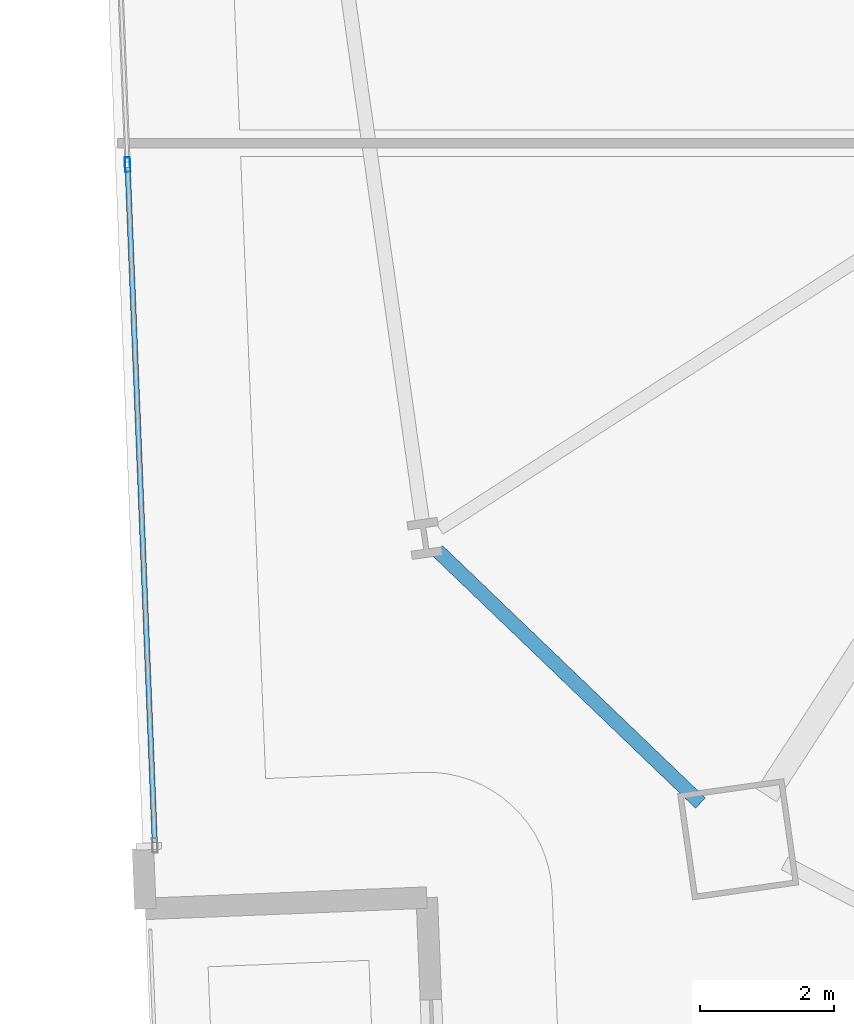
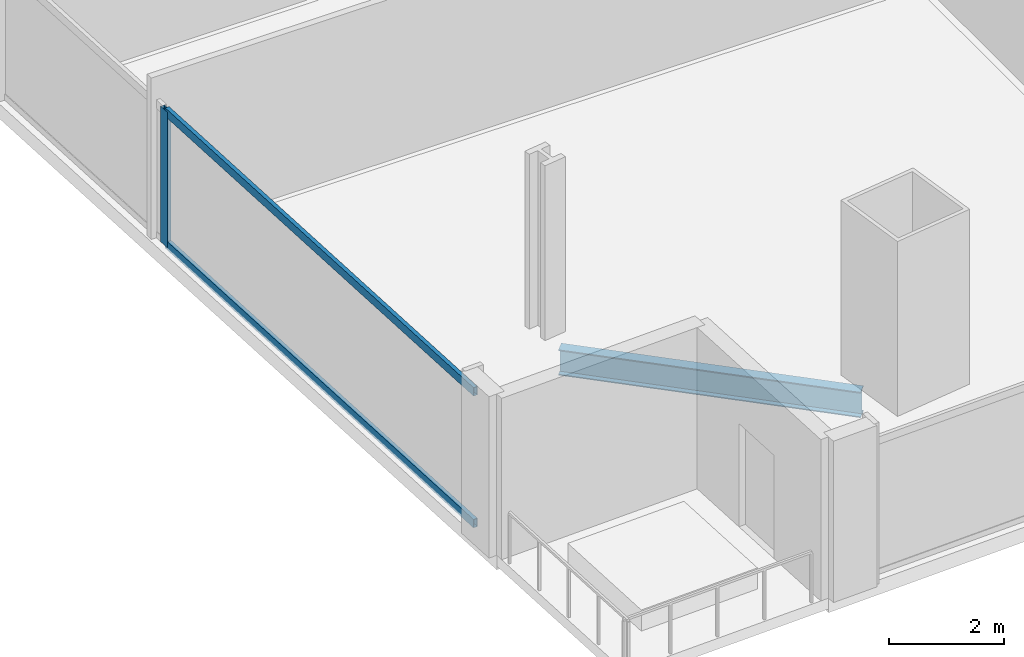
# One storey, part 3 of 32: 3 members, 1 beam, 1 element without a shape of its own.
"""IFC4 building model written with IfcOpenShell, lengths in metres."""

from ifc_helpers import new_model, si_unit, direction, frame, origin, origin_2d, place, context, subcontext, project, spatial, hollow_rectangle, i_section, extrude, material, material_profile, profile_set, type_object, element, aggregate, save


model = new_model("IFC4")

# Units and contexts
model_context = context("Model", 3, precision=1e-05, world=origin(), true_north=direction((0.0, 1.0)))
body_context = subcontext(model_context, "Body", "Model", "MODEL_VIEW")
ifc_project = project(units=[si_unit("LENGTHUNIT", "METRE"), si_unit("AREAUNIT", "SQUARE_METRE"), si_unit("VOLUMEUNIT", "CUBIC_METRE"), si_unit("PLANEANGLEUNIT", "RADIAN"), si_unit("MASSUNIT", "GRAM", prefix="KILO")], contexts=[model_context])

# Site, building, storey
site_placement = place(None, origin())
site = spatial("IfcSite", under=ifc_project, at=site_placement, CompositionType="ELEMENT")
building_placement = place(site_placement, origin())
building = spatial("IfcBuilding", under=site, at=building_placement, Name="Haldenkirk Collegiate Tower", CompositionType="ELEMENT")
storey_placement = place(building_placement, frame((0.0, 0.0, 36.449951171875)))
storey = spatial("IfcBuildingStorey", under=building, at=storey_placement, Name="L07", CompositionType="ELEMENT", Elevation=36.449951171875)

# Beam
ifc_material_1 = material(Name="Steel ASTM A992 Grade 50", Category="steel")
ifc_material_profile_1 = material_profile(ifc_material_1, i_section(OverallWidth=0.2119140625, OverallDepth=0.5439453125, WebThickness=0.01318359375, FlangeThickness=0.021240234375, at=origin_2d()), Name="W21X83")
ifc_profile_set_1 = profile_set([ifc_material_profile_1], Name="Steel ASTM A992 Grade 50")
beam_type = type_object("IfcBeamType", Name="BM-SPANDREL-W21X83", PredefinedType="SPANDREL", material=ifc_profile_set_1)
beam_placement = place(storey_placement, frame((14.212890625, 9.47412109375, -0.58203125), z_axis=(0.721492362326, -0.692422393561, 0.0), x_axis=(0.692422393561, 0.721492362326, 0.0)))
element("IfcBeam", 1, at=beam_placement, inside=storey, type_object=beam_type, Name="L07 perimeter spandrel beam 16", PredefinedType="SPANDREL", context=body_context, shape_type="SweptSolid", body=[
    extrude(i_section(OverallWidth=0.2119140625, OverallDepth=0.5439453125, WebThickness=0.01318359375, FlangeThickness=0.021240234375, at=origin_2d()), origin(), (0.0, 0.0, 1.0), 5.433837890625),
])

# Curtain wall, members
ifc_material_2 = material(Name="Anodised architectural bronze aluminium", Category="aluminium")
curtain_wall_type = type_object("IfcCurtainWallType", Name="CW-SYS1-CONVEX-LOW", PredefinedType="USERDEFINED", material=ifc_material_2)
curtain_wall_placement = place(storey_placement, origin())
curtain_wall = element("IfcCurtainWall", 2, at=curtain_wall_placement, inside=storey, type_object=curtain_wall_type, Name="L07 Lower tower convex bronze-framed unitised curtain wall", ObjectType="UNITISED CURTAIN WALL", PredefinedType="USERDEFINED")
ifc_material_profile_2 = material_profile(ifc_material_2, hollow_rectangle(XDim=0.080078125, YDim=0.219970703125, WallThickness=0.0048828125, at=origin_2d()), Name="CW-MUL-1A")
ifc_profile_set_2 = profile_set([ifc_material_profile_2], Name="Anodised architectural bronze aluminium")
member_type_1 = type_object("IfcMemberType", Name="CW-MUL-1A", PredefinedType="MULLION", material=ifc_profile_set_2)
member_1_placement = place(storey_placement, frame((9.591064453125, 15.2314453125, 0.0), z_axis=(0.0, 0.0, 1.0), x_axis=(-0.999194371406, -0.040132382816, 0.0)))
member_1 = element("IfcMember", 3, at=member_1_placement, type_object=member_type_1, Name="CW-1A mullion 2", PredefinedType="MULLION", context=body_context, shape_type="SweptSolid", body=[
    extrude(hollow_rectangle(XDim=0.080078125, YDim=0.219970703125, WallThickness=0.0048828125, at=origin_2d()), origin(), (0.0, 0.0, 1.0), 2.89111328125),
])
ifc_material_profile_3 = material_profile(ifc_material_2, hollow_rectangle(XDim=0.080078125, YDim=0.179931640625, WallThickness=0.0048828125, at=origin_2d()), Name="CW-TRN-1A")
ifc_profile_set_3 = profile_set([ifc_material_profile_3], Name="Anodised architectural bronze aluminium")
member_type_2 = type_object("IfcMemberType", Name="CW-TRN-1A", PredefinedType="USERDEFINED", material=ifc_profile_set_3)
member_2_placement = place(storey_placement, frame((9.9970703125, 5.11962890625, 0.0400390625), z_axis=(-0.040133441677, 0.999194328877, 0.0), x_axis=(-0.999194328877, -0.040133441677, 0.0)))
member_2 = element("IfcMember", 4, at=member_2_placement, type_object=member_type_2, Name="CW-1A transom 1.1", ObjectType="TRANSOM", PredefinedType="USERDEFINED", context=body_context, shape_type="SweptSolid", body=[
    extrude(hollow_rectangle(XDim=0.080078125, YDim=0.179931640625, WallThickness=0.0048828125, at=origin_2d()), origin(), (0.0, 0.0, 1.0), 10.079833984375),
])
member_3_placement = place(storey_placement, frame((9.9970703125, 5.11962890625, 2.85107421875), z_axis=(-0.040133441677, 0.999194328877, 0.0), x_axis=(-0.999194328877, -0.040133441677, 0.0)))
member_3 = element("IfcMember", 5, at=member_3_placement, type_object=member_type_2, Name="CW-1A transom 1.2", ObjectType="TRANSOM", PredefinedType="USERDEFINED", context=body_context, shape_type="SweptSolid", body=[
    extrude(hollow_rectangle(XDim=0.080078125, YDim=0.179931640625, WallThickness=0.0048828125, at=origin_2d()), origin(), (0.0, 0.0, 1.0), 10.079833984375),
])
aggregate(curtain_wall, [member_1, member_2, member_3])

save(model, "model.ifc")
